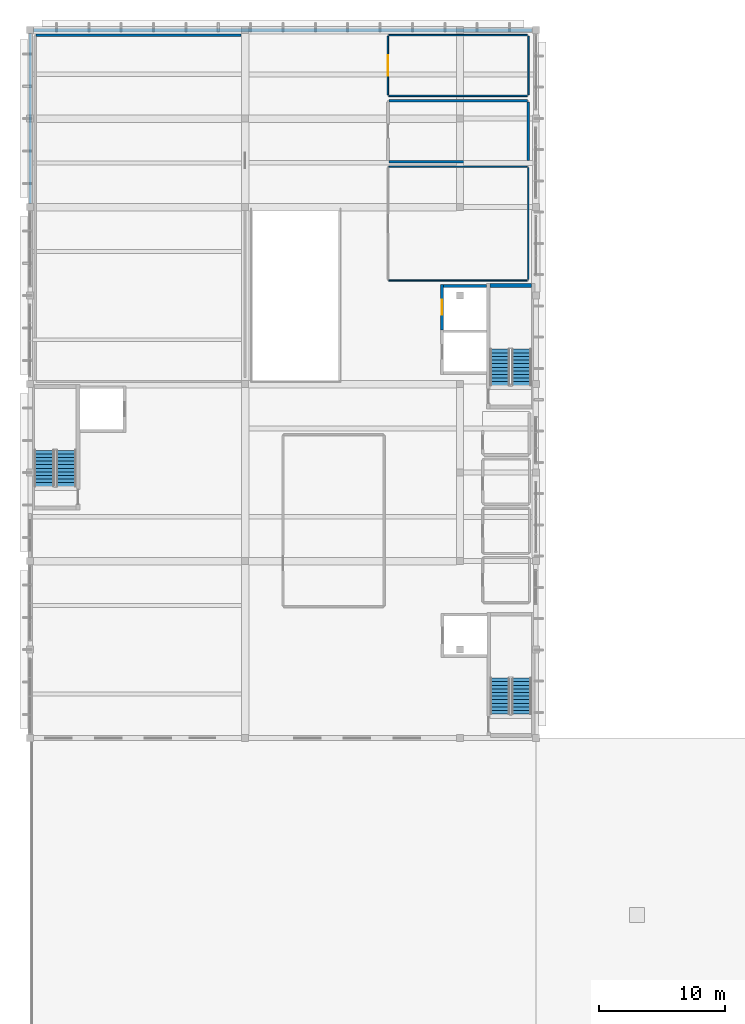
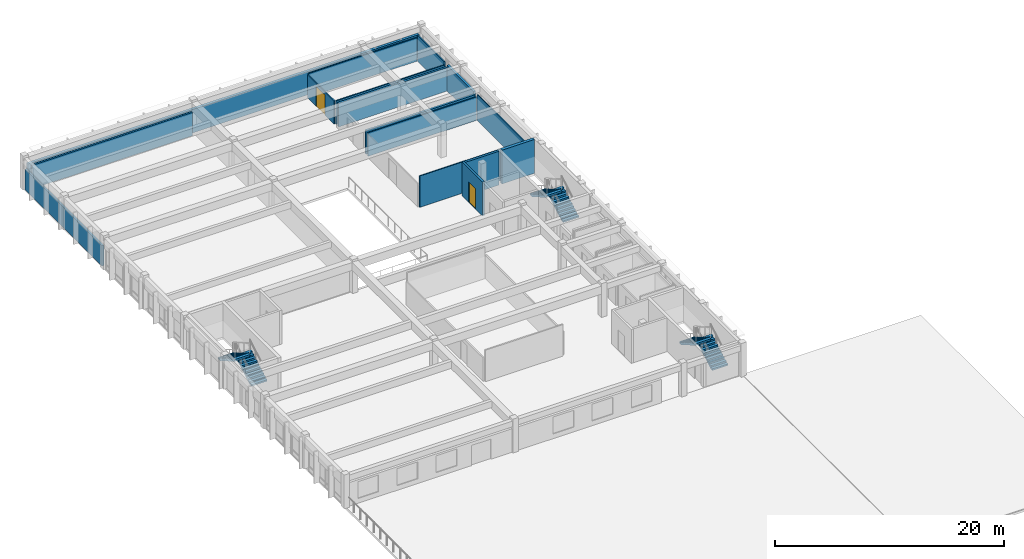
# One storey, part 17 of 23: 16 walls, 6 stair flights, 2 doors, 2 openings, 3 elements without a shape of their own.
"""IFC4 building model written with IfcOpenShell, lengths in metres."""

from ifc_helpers import new_model, si_unit, direction, frame, frame_2d, origin, place, context, subcontext, project, spatial, polyline, rectangle, outline, extrude, material, layer, layer_set, type_object, element, fill, aggregate, save


model = new_model("IFC4")

# Units and contexts
model_context = context("Model", 3, precision=1e-05, world=origin(), true_north=direction((0.0, 1.0)))
body_context = subcontext(model_context, "Body", "Model", "MODEL_VIEW")
ifc_project = project(units=[si_unit("LENGTHUNIT", "METRE"), si_unit("AREAUNIT", "SQUARE_METRE"), si_unit("VOLUMEUNIT", "CUBIC_METRE"), si_unit("PLANEANGLEUNIT", "RADIAN"), si_unit("MASSUNIT", "GRAM", prefix="KILO")], contexts=[model_context])

# Site, building, storey
site_placement = place(None, origin())
site = spatial("IfcSite", under=ifc_project, at=site_placement, CompositionType="ELEMENT")
building_placement = place(site_placement, origin())
building = spatial("IfcBuilding", under=site, at=building_placement, Name="Larkveld Mobility Hub", CompositionType="ELEMENT")
storey_placement = place(building_placement, frame((0.0, 0.0, 19.199951171875)))
storey = spatial("IfcBuildingStorey", under=building, at=storey_placement, Name="L05", CompositionType="ELEMENT", Elevation=19.199951171875)

# Walls
ifc_material_1 = material(Name="Glazed architectural ceramic masonry 20 MPa", Category="masonry")
ifc_layer_1 = layer(ifc_material_1, 0.179931640625, Name="Glazed architectural ceramic masonry 20 MPa", Category="masonry")
ifc_layer_set_1 = layer_set([ifc_layer_1], Name="Glazed architectural ceramic masonry 20 MPa")
wall_type_1 = type_object("IfcWallType", Name="WL-COB-180", PredefinedType="USERDEFINED", material=ifc_layer_set_1)
wall_1_placement = place(storey_placement, frame((112.0, 83.715087890625, 0.0), z_axis=(0.0, 0.0, 1.0), x_axis=(0.0, -1.0, 0.0)))
element("IfcWall", 1, at=wall_1_placement, inside=storey, type_object=wall_type_1, Name="EV Wing West Ventilated Facade L05-0243", ObjectType="CERAMIC COBOGO SCREEN", PredefinedType="USERDEFINED", context=body_context, shape_type="SweptSolid", body=[
    extrude(rectangle(XDim=13.43017578125, YDim=0.179931640625, at=frame_2d((6.715087890625, 0.0))), origin(), (0.0, 0.0, 1.0), 2.195068359375),
])
ifc_material_2 = material(Name="Precast concrete C50/60", Category="concrete")
ifc_layer_2 = layer(ifc_material_2, 0.27001953125, Name="Precast concrete C50/60", Category="concrete")
ifc_layer_set_2 = layer_set([ifc_layer_2], Name="Precast concrete C50/60")
wall_type_2 = type_object("IfcWallType", Name="WL-EXT-270", PredefinedType="SOLIDWALL", material=ifc_layer_set_2)
wall_2_placement = place(storey_placement, frame((151.715087890625, 84.0, 0.0), z_axis=(0.0, 0.0, 1.0), x_axis=(-1.0, 0.0, 0.0)))
element("IfcWall", 2, at=wall_2_placement, inside=storey, type_object=wall_type_2, Name="Stepped North Terrace Wall L05-0244", PredefinedType="SOLIDWALL", context=body_context, shape_type="SweptSolid", body=[
    extrude(rectangle(XDim=39.43017578125, YDim=0.27001953125, at=frame_2d((19.715087890625, 0.0))), origin(), (0.0, 0.0, 1.0), 2.4951171875),
])
ifc_material_3 = material(Name="Concrete blockwork masonry 14 MPa", Category="masonry")
ifc_layer_3 = layer(ifc_material_3, 0.10009765625, Name="Concrete blockwork masonry 14 MPa", Category="masonry")
ifc_layer_set_3 = layer_set([ifc_layer_3], Name="Concrete blockwork masonry 14 MPa")
wall_type_3 = type_object("IfcWallType", Name="WL-PRT-100", PredefinedType="PARTITIONING", material=ifc_layer_set_3)
wall_3_placement = place(storey_placement, frame((140.3798828125, 64.199951171875, 0.0), z_axis=(0.0, 0.0, 1.0), x_axis=(1.0, 0.0, 0.0)))
element("IfcWall", 3, at=wall_3_placement, inside=storey, type_object=wall_type_3, Name="Community Aerobic and Fitness Studio Partition 0263", PredefinedType="PARTITIONING", context=body_context, shape_type="SweptSolid", body=[
    extrude(rectangle(XDim=10.93505859375, YDim=0.10009765625, at=frame_2d((5.467529296875, 0.0))), origin(), (0.0, 0.0, 1.0), 3.344970703125),
])
wall_4_placement = place(storey_placement, frame((140.3798828125, 73.195068359375, 0.0), z_axis=(0.0, 0.0, 1.0), x_axis=(1.0, 0.0, 0.0)))
element("IfcWall", 4, at=wall_4_placement, inside=storey, type_object=wall_type_3, Name="Community Aerobic and Fitness Studio Partition 0264", PredefinedType="PARTITIONING", context=body_context, shape_type="SweptSolid", body=[
    extrude(rectangle(XDim=10.93505859375, YDim=0.10009765625, at=frame_2d((5.467529296875, 0.0))), origin(), (0.0, 0.0, 1.0), 2.4951171875),
])
wall_5_placement = place(storey_placement, frame((151.39501953125, 64.280029296875, 0.0), z_axis=(0.0, 0.0, 1.0), x_axis=(0.0, 1.0, 0.0)))
element("IfcWall", 5, at=wall_5_placement, inside=storey, type_object=wall_type_3, Name="Community Aerobic and Fitness Studio Partition 0266", PredefinedType="PARTITIONING", context=body_context, shape_type="SweptSolid", body=[
    extrude(rectangle(XDim=8.8349609375, YDim=0.10009765625, at=frame_2d((4.41748046875, 0.0))), origin(), (0.0, 0.0, 1.0), 2.7451171875),
])
ifc_layer_4 = layer(ifc_material_3, 0.1201171875, Name="Concrete blockwork masonry 14 MPa", Category="masonry")
ifc_layer_set_4 = layer_set([ifc_layer_4], Name="Concrete blockwork masonry 14 MPa")
wall_type_4 = type_object("IfcWallType", Name="WL-PRT-120", PredefinedType="PARTITIONING", material=ifc_layer_set_4)
for number, where, z_axis, x_axis, name in (
    (6, (140.3798828125, 78.800048828125, 0.0), (0.0, 0.0, 1.0), (1.0, 0.0, 0.0), "Sports First Aid and Physiotherapy Office Partition 0271"),
    (7, (140.3798828125, 83.60009765625, 0.0), (0.0, 0.0, 1.0), (1.0, 0.0, 0.0), "Sports First Aid and Physiotherapy Office Partition 0272"),
):
    element("IfcWall", number, at=place(storey_placement, frame(where, z_axis=z_axis, x_axis=x_axis)), inside=storey, type_object=wall_type_4, Name=name, PredefinedType="PARTITIONING", context=body_context, shape_type="SweptSolid", body=[
        extrude(rectangle(XDim=10.940185546875, YDim=0.1201171875, at=frame_2d((5.47021484375, 0.0))), origin(), (0.0, 0.0, 1.0), 2.4951171875),
    ])

# Wall, opening, door
wall_6_placement = place(storey_placement, frame((140.300048828125, 78.8798828125, 0.0), z_axis=(0.0, 0.0, 1.0), x_axis=(0.0, 1.0, 0.0)))
wall_6 = element("IfcWall", 8, at=wall_6_placement, inside=storey, type_object=wall_type_4, Name="Sports First Aid and Physiotherapy Office Partition 0273", PredefinedType="PARTITIONING", context=body_context, shape_type="SweptSolid", body=[
    extrude(rectangle(XDim=4.64013671875, YDim=0.1201171875, at=frame_2d((2.320068359375, 0.0))), origin(), (0.0, 0.0, 1.0), 2.455078125),
])
opening_1_placement = place(wall_6_placement, frame((1.52001953125, 0.0, 0.0)))
opening_1 = element("IfcOpeningElement", 9, at=opening_1_placement, cuts=wall_6, Name="Opening DI09", PredefinedType="OPENING", context=body_context, shape_type="SweptSolid", body=[
    extrude(rectangle(XDim=1.60009765625, YDim=2.14990234375, at=frame_2d((0.800048828125, 1.074951171875))), frame((0.0, 0.070068359375, 0.0), z_axis=(0.0, -1.0, 0.0), x_axis=(1.0, 0.0, 0.0)), (0.0, 0.0, 1.0), 0.14013671875),
])
ifc_material_4 = material(Name="Solid-core hardwood timber door in aluminium frame", Category="wood")
door_type_1 = type_object("IfcDoorType", Name="DR-INT-160", OperationType="NOTDEFINED", PredefinedType="DOOR", material=ifc_material_4)
door_1_placement = place(opening_1_placement, origin())
door_1 = element("IfcDoor", 10, at=door_1_placement, inside=storey, type_object=door_type_1, Name="Sports First Aid and Physiotherapy Office Door 0069", OperationType="DOUBLE_DOOR_SINGLE_SWING", OverallHeight=2.14990234375, OverallWidth=1.60009765625, PredefinedType="DOOR", context=body_context, shape_type="SweptSolid", body=[
    extrude(rectangle(XDim=1.60009765625, YDim=2.14990234375, at=frame_2d((0.800048828125, 1.074951171875))), frame((0.0, 0.02490234375, 0.0), z_axis=(0.0, -1.0, 0.0), x_axis=(1.0, 0.0, 0.0)), (0.0, 0.0, 1.0), 0.050048828125),
])
fill(opening_1, door_1)

# Walls
wall_7_placement = place(storey_placement, frame((151.39990234375, 78.8798828125, 0.0), z_axis=(0.0, 0.0, 1.0), x_axis=(0.0, 1.0, 0.0)))
element("IfcWall", 11, at=wall_7_placement, inside=storey, type_object=wall_type_4, Name="Sports First Aid and Physiotherapy Office Partition 0274", PredefinedType="PARTITIONING", context=body_context, shape_type="SweptSolid", body=[
    extrude(rectangle(XDim=4.64013671875, YDim=0.1201171875, at=frame_2d((2.320068359375, 0.0))), origin(), (0.0, 0.0, 1.0), 2.755126953125),
])
ifc_layer_5 = layer(ifc_material_3, 0.175048828125, Name="Concrete blockwork masonry 14 MPa", Category="masonry")
ifc_layer_set_5 = layer_set([ifc_layer_5], Name="Concrete blockwork masonry 14 MPa")
wall_type_5 = type_object("IfcWallType", Name="WL-PRT-175", PredefinedType="PARTITIONING", material=ifc_layer_set_5)
wall_8_placement = place(storey_placement, frame((112.47998046875, 83.596923828125, 0.0), z_axis=(0.0, 0.0, 1.0), x_axis=(1.0, 0.0, 0.0)))
element("IfcWall", 12, at=wall_8_placement, inside=storey, type_object=wall_type_5, Name="Indoor Community Multi-Sport Hall Partition 0260", PredefinedType="PARTITIONING", context=body_context, shape_type="SweptSolid", body=[
    extrude(rectangle(XDim=16.201904296875, YDim=0.175048828125, at=frame_2d((8.10107421875, 0.0))), origin(), (0.0, 0.0, 1.0), 2.4951171875),
])
ifc_layer_6 = layer(ifc_material_3, 0.2099609375, Name="Concrete blockwork masonry 14 MPa", Category="masonry")
ifc_layer_set_6 = layer_set([ifc_layer_6], Name="Concrete blockwork masonry 14 MPa")
wall_type_6 = type_object("IfcWallType", Name="WL-PRT-210", PredefinedType="PARTITIONING", material=ifc_layer_set_6)
for number, where, z_axis, x_axis, name in (
    (13, (140.3798828125, 73.60009765625, 0.0), (0.0, 0.0, 1.0), (1.0, 0.0, 0.0), "Court Equipment and Net Store Partition 0267"),
    (14, (140.3798828125, 78.39990234375, 0.0), (0.0, 0.0, 1.0), (1.0, 0.0, 0.0), "Court Equipment and Net Store Partition 0268"),
):
    element("IfcWall", number, at=place(storey_placement, frame(where, z_axis=z_axis, x_axis=x_axis)), inside=storey, type_object=wall_type_6, Name=name, PredefinedType="PARTITIONING", context=body_context, shape_type="SweptSolid", body=[
        extrude(rectangle(XDim=10.940185546875, YDim=0.2099609375, at=frame_2d((5.47021484375, 0.0))), origin(), (0.0, 0.0, 1.0), 2.4951171875),
    ])
wall_9_placement = place(storey_placement, frame((151.39990234375, 73.679931640625, 0.0), z_axis=(0.0, 0.0, 1.0), x_axis=(0.0, 1.0, 0.0)))
element("IfcWall", 15, at=wall_9_placement, inside=storey, type_object=wall_type_6, Name="Court Equipment and Net Store Partition 0270", PredefinedType="PARTITIONING", context=body_context, shape_type="SweptSolid", body=[
    extrude(rectangle(XDim=4.64013671875, YDim=0.2099609375, at=frame_2d((2.320068359375, 0.0))), origin(), (0.0, 0.0, 1.0), 2.7451171875),
])

# Wall, opening, door
ifc_material_5 = material(Name="Concrete C40/50", Category="concrete")
ifc_layer_7 = layer(ifc_material_5, 0.219970703125, Name="Concrete C40/50", Category="concrete")
ifc_layer_set_7 = layer_set([ifc_layer_7], Name="Concrete C40/50")
wall_type_7 = type_object("IfcWallType", Name="WL-SHF-220", PredefinedType="SHEAR", material=ifc_layer_set_7)
wall_10_placement = place(storey_placement, frame((144.570068359375, 60.300048828125, 0.0), z_axis=(0.0, 0.0, 1.0), x_axis=(0.0, 1.0, 0.0)))
wall_10 = element("IfcWall", 16, at=wall_10_placement, inside=storey, type_object=wall_type_7, Name="Lift FL2 Shaft Wall L05-W", PredefinedType="SHEAR", context=body_context, shape_type="SweptSolid", body=[
    extrude(rectangle(XDim=3.570068359375, YDim=0.219970703125, at=frame_2d((1.78515625, 0.0))), origin(), (0.0, 0.0, 1.0), 3.60009765625),
])
opening_2_placement = place(wall_10_placement, frame((1.18505859375, 0.0, 0.0)))
opening_2 = element("IfcOpeningElement", 17, at=opening_2_placement, cuts=wall_10, Name="Opening LD02", PredefinedType="OPENING", context=body_context, shape_type="SweptSolid", body=[
    extrude(rectangle(XDim=1.199951171875, YDim=2.199951171875, at=frame_2d((0.60009765625, 1.10009765625))), frame((0.0, 0.1201171875, 0.0), z_axis=(0.0, -1.0, 0.0), x_axis=(1.0, 0.0, 0.0)), (0.0, 0.0, 1.0), 0.239990234375),
])
ifc_material_6 = material(Name="Brushed stainless Steel S355JR sliding landing door", Category="steel")
door_type_2 = type_object("IfcDoorType", Name="DR-LD-120", OperationType="DOUBLE_DOOR_SLIDING", PredefinedType="DOOR", material=ifc_material_6)
door_2_placement = place(opening_2_placement, origin())
door_2 = element("IfcDoor", 18, at=door_2_placement, inside=storey, type_object=door_type_2, Name="Lift landing door FL2-L05", OperationType="DOUBLE_DOOR_SLIDING", OverallHeight=2.199951171875, OverallWidth=1.199951171875, PredefinedType="DOOR", context=body_context, shape_type="SweptSolid", body=[
    extrude(rectangle(XDim=1.199951171875, YDim=2.199951171875, at=frame_2d((0.60009765625, 1.10009765625))), frame((0.0, 0.02490234375, 0.0), z_axis=(0.0, -1.0, 0.0), x_axis=(1.0, 0.0, 0.0)), (0.0, 0.0, 1.0), 0.050048828125),
])
fill(opening_2, door_2)

# Walls
wall_11_placement = place(storey_placement, frame((144.679931640625, 63.760009765625, 0.0), z_axis=(0.0, 0.0, 1.0), x_axis=(1.0, 0.0, 0.0)))
element("IfcWall", 19, at=wall_11_placement, inside=storey, type_object=wall_type_7, Name="Lift FL2 Shaft Wall L05-N", PredefinedType="SHEAR", context=body_context, shape_type="SweptSolid", body=[
    extrude(rectangle(XDim=3.400146484375, YDim=0.219970703125, at=frame_2d((1.7001953125, 0.0))), origin(), (0.0, 0.0, 1.0), 3.60009765625),
])
ifc_layer_8 = layer(ifc_material_5, 0.300048828125, Name="Concrete C40/50", Category="concrete")
ifc_layer_set_8 = layer_set([ifc_layer_8], Name="Concrete C40/50")
wall_type_8 = type_object("IfcWallType", Name="WL-SHR-02", PredefinedType="SHEAR", material=ifc_layer_set_8)
wall_12_placement = place(storey_placement, frame((148.3798828125, 63.800048828125, 0.0), z_axis=(0.0, 0.0, 1.0), x_axis=(1.0, 0.0, 0.0)))
element("IfcWall", 20, at=wall_12_placement, inside=storey, type_object=wall_type_8, Name="Core C2 Stair Shear Wall L05-N", PredefinedType="SHEAR", context=body_context, shape_type="SweptSolid", body=[
    extrude(rectangle(XDim=3.27001953125, YDim=0.300048828125, at=frame_2d((1.635009765625, 0.0))), origin(), (0.0, 0.0, 1.0), 3.60009765625),
])

# Stair, stair flights
stair_type_1 = type_object("IfcStairType", Name="ST-HT-01", PredefinedType="HALF_TURN_STAIR", material=ifc_material_5)
stair_1_placement = place(storey_placement, origin())
stair_1 = element("IfcStair", 21, at=stair_1_placement, inside=storey, type_object=stair_type_1, Name="L05 Protected Escape Stair ST1", PredefinedType="HALF_TURN_STAIR")
stair_flight_type_1 = type_object("IfcStairFlightType", Name="SF-HT-01", PredefinedType="STRAIGHT", material=ifc_material_5)
stair_flight_1_placement = place(storey_placement, frame((150.875, 29.89990234375, 0.0), z_axis=(0.0, 0.0, 1.0), x_axis=(0.0, 1.0, 0.0)))
stair_flight_1 = element("IfcStairFlight", 22, at=stair_flight_1_placement, type_object=stair_flight_type_1, Name="ST1 flight 1", NumberOfRisers=11, NumberOfTreads=10, PredefinedType="STRAIGHT", RiserHeight=0.163636364, TreadLength=0.285, context=body_context, shape_type="SweptSolid", body=[
    extrude(outline(polyline([(0.0, 0.0), (0.0, 0.16357421875), (0.284912109375, 0.16357421875), (0.284912109375, 0.327392578125), (0.570068359375, 0.327392578125), (0.570068359375, 0.490966796875), (0.85498046875, 0.490966796875), (0.85498046875, 0.654541015625), (1.139892578125, 0.654541015625), (1.139892578125, 0.818115234375), (1.425048828125, 0.818115234375), (1.425048828125, 0.98193359375), (1.7099609375, 0.98193359375), (1.7099609375, 1.1455078125), (1.9951171875, 1.1455078125), (1.9951171875, 1.30908203125), (2.280029296875, 1.30908203125), (2.280029296875, 1.47265625), (2.56494140625, 1.47265625), (2.56494140625, 1.636474609375), (2.85009765625, 1.636474609375), (2.85009765625, 1.800048828125), (2.85009765625, 1.45654296875), (0.313232421875, 0.0), (0.0, 0.0)])), frame((0.0, 0.77490234375, 0.0), z_axis=(0.0, -1.0, 0.0), x_axis=(1.0, 0.0, 0.0)), (0.0, 0.0, 1.0), 1.550048828125),
])
stair_flight_2_placement = place(storey_placement, frame((149.175048828125, 32.75, 1.800048828125), z_axis=(0.0, 0.0, 1.0), x_axis=(0.0, -1.0, 0.0)))
stair_flight_2 = element("IfcStairFlight", 23, at=stair_flight_2_placement, type_object=stair_flight_type_1, Name="ST1 flight 2", NumberOfRisers=11, NumberOfTreads=10, PredefinedType="STRAIGHT", RiserHeight=0.163636364, TreadLength=0.285, context=body_context, shape_type="SweptSolid", body=[
    extrude(outline(polyline([(0.0, 0.0), (0.0, 0.16357421875), (0.284912109375, 0.16357421875), (0.284912109375, 0.327392578125), (0.570068359375, 0.327392578125), (0.570068359375, 0.490966796875), (0.85498046875, 0.490966796875), (0.85498046875, 0.654541015625), (1.139892578125, 0.654541015625), (1.139892578125, 0.818115234375), (1.425048828125, 0.818115234375), (1.425048828125, 0.98193359375), (1.7099609375, 0.98193359375), (1.7099609375, 1.1455078125), (1.9951171875, 1.1455078125), (1.9951171875, 1.30908203125), (2.280029296875, 1.30908203125), (2.280029296875, 1.47265625), (2.56494140625, 1.47265625), (2.56494140625, 1.636474609375), (2.85009765625, 1.636474609375), (2.85009765625, 1.800048828125), (2.85009765625, 1.45654296875), (0.313232421875, 0.0), (0.0, 0.0)])), frame((0.0, 0.77490234375, 0.0), z_axis=(0.0, -1.0, 0.0), x_axis=(1.0, 0.0, 0.0)), (0.0, 0.0, 1.0), 1.550048828125),
])
aggregate(stair_1, [stair_flight_1, stair_flight_2])

stair_type_2 = type_object("IfcStairType", Name="ST-HT-02", PredefinedType="HALF_TURN_STAIR", material=ifc_material_5)
stair_2_placement = place(storey_placement, origin())
stair_2 = element("IfcStair", 24, at=stair_2_placement, inside=storey, type_object=stair_type_2, Name="L05 Protected Escape Stair ST2", PredefinedType="HALF_TURN_STAIR")
stair_flight_type_2 = type_object("IfcStairFlightType", Name="SF-HT-02", PredefinedType="STRAIGHT", material=ifc_material_5)
stair_flight_3_placement = place(storey_placement, frame((150.8701171875, 55.909912109375, 0.0), z_axis=(0.0, 0.0, 1.0), x_axis=(0.0, 1.0, 0.0)))
stair_flight_3 = element("IfcStairFlight", 25, at=stair_flight_3_placement, type_object=stair_flight_type_2, Name="ST2 flight 1", NumberOfRisers=11, NumberOfTreads=10, PredefinedType="STRAIGHT", RiserHeight=0.163636364, TreadLength=0.285, context=body_context, shape_type="SweptSolid", body=[
    extrude(outline(polyline([(0.0, 0.0), (0.0, 0.16357421875), (0.284912109375, 0.16357421875), (0.284912109375, 0.327392578125), (0.570068359375, 0.327392578125), (0.570068359375, 0.490966796875), (0.85498046875, 0.490966796875), (0.85498046875, 0.654541015625), (1.139892578125, 0.654541015625), (1.139892578125, 0.818115234375), (1.425048828125, 0.818115234375), (1.425048828125, 0.98193359375), (1.7099609375, 0.98193359375), (1.7099609375, 1.1455078125), (1.9951171875, 1.1455078125), (1.9951171875, 1.30908203125), (2.280029296875, 1.30908203125), (2.280029296875, 1.47265625), (2.56494140625, 1.47265625), (2.56494140625, 1.636474609375), (2.85009765625, 1.636474609375), (2.85009765625, 1.800048828125), (2.85009765625, 1.449462890625), (0.32568359375, 0.0), (0.0, 0.0)])), frame((0.0, 0.780029296875, 0.0), z_axis=(0.0, -1.0, 0.0), x_axis=(1.0, 0.0, 0.0)), (0.0, 0.0, 1.0), 1.56005859375),
])
stair_flight_4_placement = place(storey_placement, frame((149.159912109375, 58.760009765625, 1.800048828125), z_axis=(0.0, 0.0, 1.0), x_axis=(0.0, -1.0, 0.0)))
stair_flight_4 = element("IfcStairFlight", 26, at=stair_flight_4_placement, type_object=stair_flight_type_2, Name="ST2 flight 2", NumberOfRisers=11, NumberOfTreads=10, PredefinedType="STRAIGHT", RiserHeight=0.163636364, TreadLength=0.285, context=body_context, shape_type="SweptSolid", body=[
    extrude(outline(polyline([(0.0, 0.0), (0.0, 0.16357421875), (0.284912109375, 0.16357421875), (0.284912109375, 0.327392578125), (0.570068359375, 0.327392578125), (0.570068359375, 0.490966796875), (0.85498046875, 0.490966796875), (0.85498046875, 0.654541015625), (1.139892578125, 0.654541015625), (1.139892578125, 0.818115234375), (1.425048828125, 0.818115234375), (1.425048828125, 0.98193359375), (1.7099609375, 0.98193359375), (1.7099609375, 1.1455078125), (1.9951171875, 1.1455078125), (1.9951171875, 1.30908203125), (2.280029296875, 1.30908203125), (2.280029296875, 1.47265625), (2.56494140625, 1.47265625), (2.56494140625, 1.636474609375), (2.85009765625, 1.636474609375), (2.85009765625, 1.800048828125), (2.85009765625, 1.449462890625), (0.32568359375, 0.0), (0.0, 0.0)])), frame((0.0, 0.780029296875, 0.0), z_axis=(0.0, -1.0, 0.0), x_axis=(1.0, 0.0, 0.0)), (0.0, 0.0, 1.0), 1.56005859375),
])
aggregate(stair_2, [stair_flight_3, stair_flight_4])

stair_type_3 = type_object("IfcStairType", Name="ST-HT-03", PredefinedType="HALF_TURN_STAIR", material=ifc_material_5)
stair_3_placement = place(storey_placement, origin())
stair_3 = element("IfcStair", 27, at=stair_3_placement, inside=storey, type_object=stair_type_3, Name="L05 Protected Escape Stair ST3", PredefinedType="HALF_TURN_STAIR")
stair_flight_type_3 = type_object("IfcStairFlightType", Name="SF-HT-03", PredefinedType="STRAIGHT", material=ifc_material_5)
stair_flight_5_placement = place(storey_placement, frame((114.85498046875, 47.919921875, 0.0), z_axis=(0.0, 0.0, 1.0), x_axis=(0.0, 1.0, 0.0)))
stair_flight_5 = element("IfcStairFlight", 28, at=stair_flight_5_placement, type_object=stair_flight_type_3, Name="ST3 flight 1", NumberOfRisers=11, NumberOfTreads=10, PredefinedType="STRAIGHT", RiserHeight=0.163636364, TreadLength=0.285, context=body_context, shape_type="SweptSolid", body=[
    extrude(outline(polyline([(0.0, 0.0), (0.0, 0.16357421875), (0.284912109375, 0.16357421875), (0.284912109375, 0.327392578125), (0.570068359375, 0.327392578125), (0.570068359375, 0.490966796875), (0.85498046875, 0.490966796875), (0.85498046875, 0.654541015625), (1.139892578125, 0.654541015625), (1.139892578125, 0.818115234375), (1.425048828125, 0.818115234375), (1.425048828125, 0.98193359375), (1.7099609375, 0.98193359375), (1.7099609375, 1.1455078125), (1.9951171875, 1.1455078125), (1.9951171875, 1.30908203125), (2.280029296875, 1.30908203125), (2.280029296875, 1.47265625), (2.56494140625, 1.47265625), (2.56494140625, 1.636474609375), (2.85009765625, 1.636474609375), (2.85009765625, 1.800048828125), (2.85009765625, 1.442626953125), (0.33740234375, 0.0), (0.0, 0.0)])), frame((0.0, 0.78515625, 0.0), z_axis=(0.0, -1.0, 0.0), x_axis=(1.0, 0.0, 0.0)), (0.0, 0.0, 1.0), 1.570068359375),
])
stair_flight_6_placement = place(storey_placement, frame((113.135009765625, 50.77001953125, 1.800048828125), z_axis=(0.0, 0.0, 1.0), x_axis=(0.0, -1.0, 0.0)))
stair_flight_6 = element("IfcStairFlight", 29, at=stair_flight_6_placement, type_object=stair_flight_type_3, Name="ST3 flight 2", NumberOfRisers=11, NumberOfTreads=10, PredefinedType="STRAIGHT", RiserHeight=0.163636364, TreadLength=0.285, context=body_context, shape_type="SweptSolid", body=[
    extrude(outline(polyline([(0.0, 0.0), (0.0, 0.16357421875), (0.284912109375, 0.16357421875), (0.284912109375, 0.327392578125), (0.570068359375, 0.327392578125), (0.570068359375, 0.490966796875), (0.85498046875, 0.490966796875), (0.85498046875, 0.654541015625), (1.139892578125, 0.654541015625), (1.139892578125, 0.818115234375), (1.425048828125, 0.818115234375), (1.425048828125, 0.98193359375), (1.7099609375, 0.98193359375), (1.7099609375, 1.1455078125), (1.9951171875, 1.1455078125), (1.9951171875, 1.30908203125), (2.280029296875, 1.30908203125), (2.280029296875, 1.47265625), (2.56494140625, 1.47265625), (2.56494140625, 1.636474609375), (2.85009765625, 1.636474609375), (2.85009765625, 1.800048828125), (2.85009765625, 1.442626953125), (0.33740234375, 0.0), (0.0, 0.0)])), frame((0.0, 0.78515625, 0.0), z_axis=(0.0, -1.0, 0.0), x_axis=(1.0, 0.0, 0.0)), (0.0, 0.0, 1.0), 1.570068359375),
])
aggregate(stair_3, [stair_flight_5, stair_flight_6])

save(model, "model.ifc")
